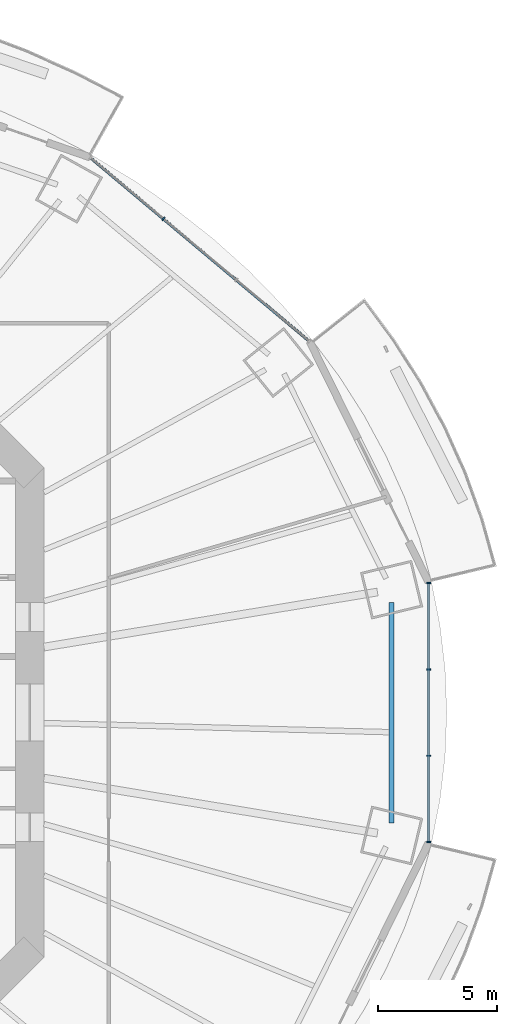
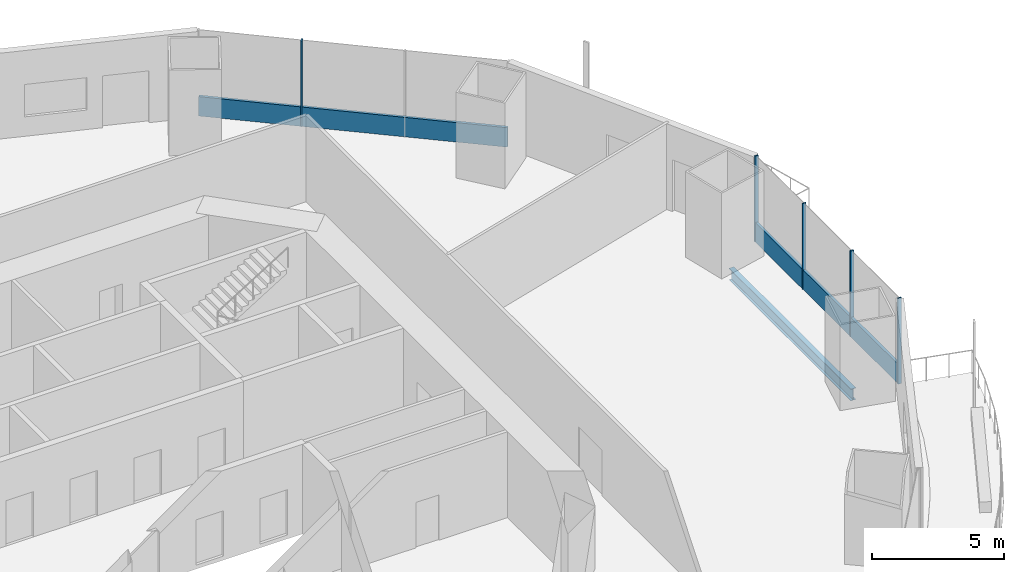
# One storey, part 10 of 20: 7 members, 1 beam, 2 elements without a shape of their own.
"""IFC4 building model written with IfcOpenShell, lengths in metres."""

from ifc_helpers import new_model, si_unit, direction, frame, origin, origin_2d, place, context, subcontext, project, spatial, rectangle, i_section, extrude, material, material_profile, profile_set, type_object, element, aggregate, save


model = new_model("IFC4")

# Units and contexts
model_context = context("Model", 3, precision=1e-05, world=origin(), true_north=direction((0.0, 1.0)))
body_context = subcontext(model_context, "Body", "Model", "MODEL_VIEW")
ifc_project = project(units=[si_unit("LENGTHUNIT", "METRE"), si_unit("AREAUNIT", "SQUARE_METRE"), si_unit("VOLUMEUNIT", "CUBIC_METRE"), si_unit("PLANEANGLEUNIT", "RADIAN"), si_unit("MASSUNIT", "GRAM", prefix="KILO")], contexts=[model_context])

# Site, building, storey
site_placement = place(None, origin())
site = spatial("IfcSite", under=ifc_project, at=site_placement, CompositionType="ELEMENT")
building_placement = place(site_placement, origin())
building = spatial("IfcBuilding", under=site, at=building_placement, Name="Marenthal Gate Tower", CompositionType="ELEMENT")
storey_placement = place(building_placement, frame((0.0, 0.0, 136.75)))
storey = spatial("IfcBuildingStorey", under=building, at=storey_placement, Name="L29", CompositionType="ELEMENT", Elevation=136.75)

# Curtain wall, member
ifc_material_1 = material(Name="Aluminium and glass", Category="aluminium")
curtain_wall_type = type_object("IfcCurtainWallType", Name="Curtain wall typical low", PredefinedType="NOTDEFINED", material=ifc_material_1)
curtain_wall_1_placement = place(storey_placement, origin())
curtain_wall_1 = element("IfcCurtainWall", 1, at=curtain_wall_1_placement, inside=storey, type_object=curtain_wall_type, Name="Curtain wall L29 bay 2", PredefinedType="NOTDEFINED")
ifc_material_2 = material(Name="Aluminium", Category="aluminium")
ifc_material_profile_1 = material_profile(ifc_material_2, rectangle(XDim=0.159912109375, YDim=0.06005859375, at=origin_2d()), Name="60x160 aluminium mullion")
ifc_profile_set_1 = profile_set([ifc_material_profile_1], Name="Aluminium")
member_type_1 = type_object("IfcMemberType", Name="Mullion 60x160 typical low", PredefinedType="MULLION", material=ifc_profile_set_1)
member_1_placement = place(storey_placement, frame((21.597900390625, 20.66796875, 0.0), z_axis=(0.0, 0.0, 1.0), x_axis=(-0.642510826857, -0.766276606305, 0.0)))
member_1 = element("IfcMember", 2, at=member_1_placement, type_object=member_type_1, Name="Mullion L29 bay 2.3", PredefinedType="MULLION", context=body_context, shape_type="SweptSolid", body=[
    extrude(rectangle(XDim=0.159912109375, YDim=0.06005859375, at=origin_2d()), origin(), (0.0, 0.0, 1.0), 3.969970703125),
])

# Curtain wall, members
curtain_wall_2_placement = place(storey_placement, origin())
curtain_wall_2 = element("IfcCurtainWall", 3, at=curtain_wall_2_placement, inside=storey, type_object=curtain_wall_type, Name="Curtain wall L29 bay 16", PredefinedType="NOTDEFINED")
member_2_placement = place(storey_placement, frame((32.701416015625, -5.424072265625, 0.0), z_axis=(0.0, 0.0, 1.0), x_axis=(-1.0, 0.0, 0.0)))
member_2 = element("IfcMember", 4, at=member_2_placement, type_object=member_type_1, Name="Mullion L29 bay 16.1", PredefinedType="MULLION", context=body_context, shape_type="SweptSolid", body=[
    extrude(rectangle(XDim=0.159912109375, YDim=0.06005859375, at=origin_2d()), origin(), (0.0, 0.0, 1.0), 3.969970703125),
])
member_3_placement = place(storey_placement, frame((32.701416015625, -1.80810546875, 0.0), z_axis=(0.0, 0.0, 1.0), x_axis=(-1.0, 0.0, 0.0)))
member_3 = element("IfcMember", 5, at=member_3_placement, type_object=member_type_1, Name="Mullion L29 bay 16.2", PredefinedType="MULLION", context=body_context, shape_type="SweptSolid", body=[
    extrude(rectangle(XDim=0.159912109375, YDim=0.06005859375, at=origin_2d()), origin(), (0.0, 0.0, 1.0), 3.969970703125),
])
member_4_placement = place(storey_placement, frame((32.701416015625, 1.80810546875, 0.0), z_axis=(0.0, 0.0, 1.0), x_axis=(-1.0, 0.0, 0.0)))
member_4 = element("IfcMember", 6, at=member_4_placement, type_object=member_type_1, Name="Mullion L29 bay 16.3", PredefinedType="MULLION", context=body_context, shape_type="SweptSolid", body=[
    extrude(rectangle(XDim=0.159912109375, YDim=0.06005859375, at=origin_2d()), origin(), (0.0, 0.0, 1.0), 3.969970703125),
])
member_5_placement = place(storey_placement, frame((32.701416015625, 5.424072265625, 0.0), z_axis=(0.0, 0.0, 1.0), x_axis=(-1.0, 0.0, 0.0)))
member_5 = element("IfcMember", 7, at=member_5_placement, type_object=member_type_1, Name="Mullion L29 bay 16.4", PredefinedType="MULLION", context=body_context, shape_type="SweptSolid", body=[
    extrude(rectangle(XDim=0.159912109375, YDim=0.06005859375, at=origin_2d()), origin(), (0.0, 0.0, 1.0), 3.969970703125),
])

# Member
ifc_material_3 = material(Name="Aluminium", Category="aluminium")
ifc_material_profile_2 = material_profile(ifc_material_3, rectangle(XDim=0.1201171875, YDim=0.89990234375, at=origin_2d()), Name="120x900 aluminium transom")
ifc_profile_set_2 = profile_set([ifc_material_profile_2], Name="Aluminium")
member_type_2 = type_object("IfcMemberType", Name="Transom 120x900 typical low", PredefinedType="USERDEFINED", material=ifc_profile_set_2)
member_6_placement = place(storey_placement, frame((27.677001953125, 15.570556640625, 0.449951171875), z_axis=(-0.76627636454, 0.642511115194, 0.0), x_axis=(-0.642511115194, -0.76627636454, 0.0)))
member_6 = element("IfcMember", 8, at=member_6_placement, type_object=member_type_2, Name="Transom L29 bay 2", ObjectType="TRANSOM", PredefinedType="USERDEFINED", context=body_context, shape_type="SweptSolid", body=[
    extrude(rectangle(XDim=0.1201171875, YDim=0.89990234375, at=origin_2d()), origin(), (0.0, 0.0, 1.0), 11.885009765625),
])

aggregate(curtain_wall_1, [member_1, member_6])

member_7_placement = place(storey_placement, frame((32.701416015625, -5.39404296875, 0.449951171875), z_axis=(0.0, 1.0, 0.0), x_axis=(-1.0, 0.0, 0.0)))
member_7 = element("IfcMember", 9, at=member_7_placement, type_object=member_type_2, Name="Transom L29 bay 16", ObjectType="TRANSOM", PredefinedType="USERDEFINED", context=body_context, shape_type="SweptSolid", body=[
    extrude(rectangle(XDim=0.1201171875, YDim=0.89990234375, at=origin_2d()), origin(), (0.0, 0.0, 1.0), 10.7880859375),
])

aggregate(curtain_wall_2, [member_2, member_3, member_4, member_5, member_7])

# Beam
ifc_material_4 = material(Name="Steel S355", Category="steel")
ifc_material_profile_3 = material_profile(ifc_material_4, i_section(OverallWidth=0.2119140625, OverallDepth=0.5439453125, WebThickness=0.01318359375, FlangeThickness=0.021240234375, FilletRadius=0.0126953125, at=origin_2d()), Name="W530X123")
ifc_profile_set_3 = profile_set([ifc_material_profile_3], Name="Steel S355")
beam_type = type_object("IfcBeamType", Name="W530X123 beam", PredefinedType="BEAM", material=ifc_profile_set_3)
beam_placement = place(storey_placement, frame((31.151611328125, -4.61767578125, -0.451904296875), z_axis=(0.0, 1.0, 0.0), x_axis=(-1.0, 0.0, 0.0)))
element("IfcBeam", 10, at=beam_placement, inside=storey, type_object=beam_type, Name="BM-L29-56", PredefinedType="BEAM", context=body_context, shape_type="SweptSolid", body=[
    extrude(i_section(OverallWidth=0.2119140625, OverallDepth=0.5439453125, WebThickness=0.01318359375, FlangeThickness=0.021240234375, FilletRadius=0.0126953125, at=origin_2d()), origin(), (0.0, 0.0, 1.0), 9.2353515625),
])

save(model, "model.ifc")
